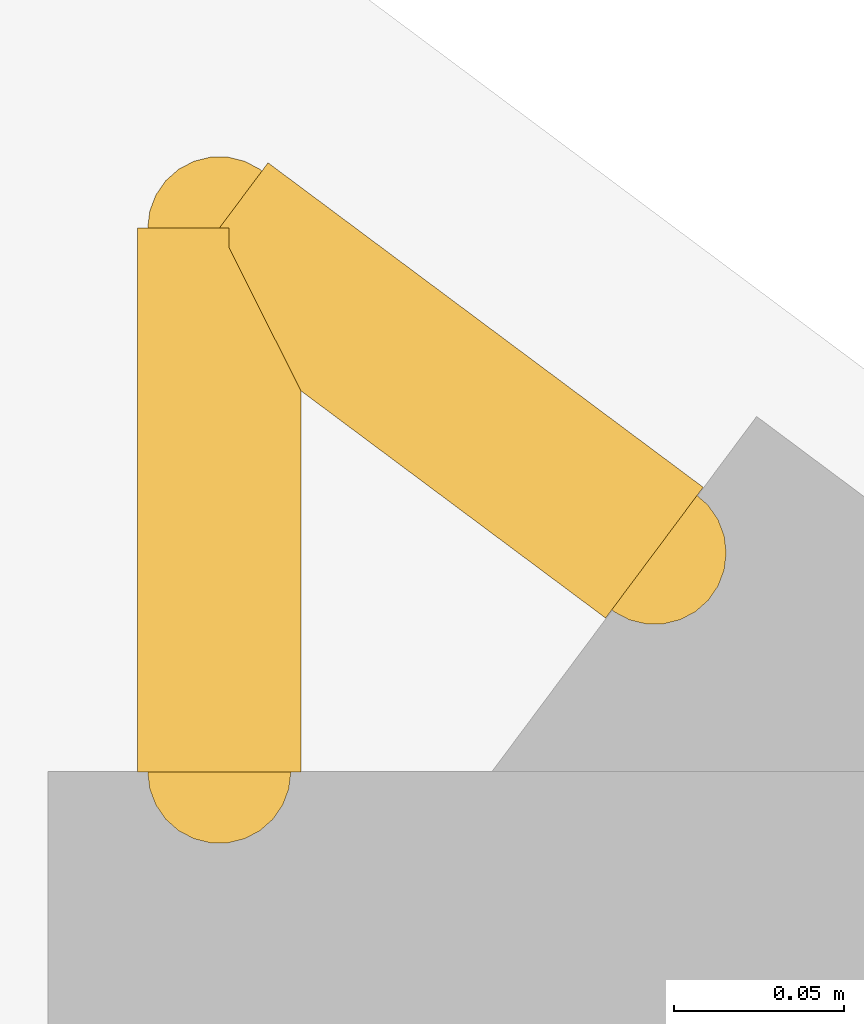
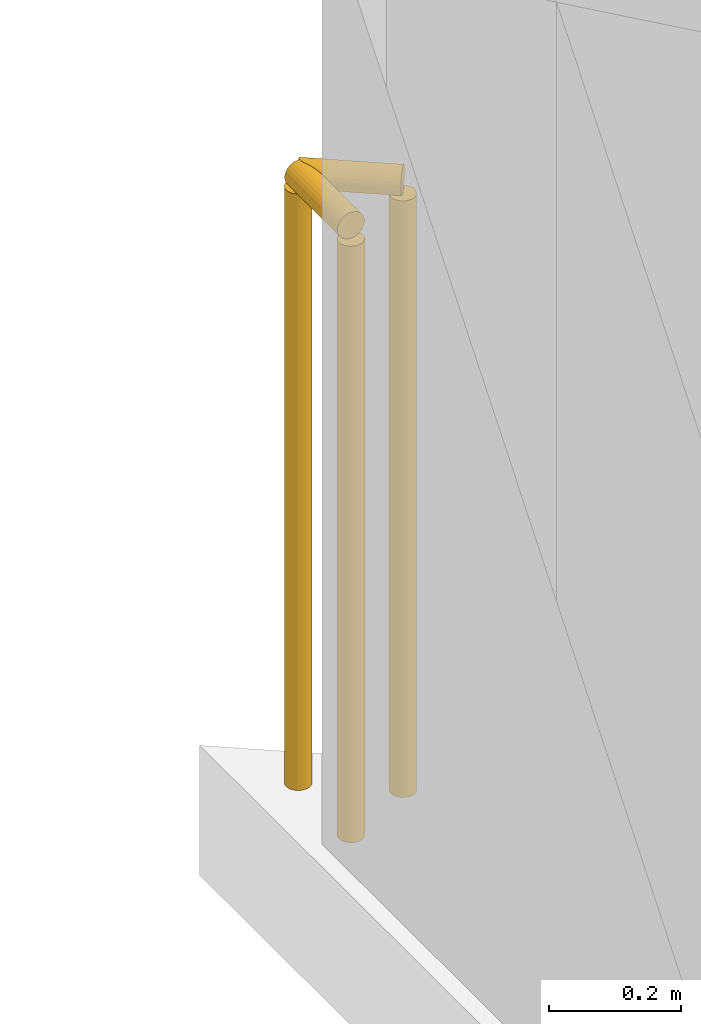
# One storey, part 15 of 15: 2 railings.
"""IFC4 building model written with IfcOpenShell, lengths in metres."""

from ifc_helpers import new_model, si_unit, direction, frame, origin, origin_2d, place, context, subcontext, project, spatial, circle, extrude, material, type_object, element, save


model = new_model("IFC4")

# Units and contexts
model_context = context("Model", 3, precision=1e-05, world=origin(), true_north=direction((0.0, 1.0)))
body_context = subcontext(model_context, "Body", "Model", "MODEL_VIEW")
ifc_project = project(units=[si_unit("LENGTHUNIT", "METRE"), si_unit("AREAUNIT", "SQUARE_METRE"), si_unit("VOLUMEUNIT", "CUBIC_METRE"), si_unit("PLANEANGLEUNIT", "RADIAN"), si_unit("MASSUNIT", "GRAM", prefix="KILO")], contexts=[model_context])

# Site, building, storey
site_placement = place(None, origin())
site = spatial("IfcSite", under=ifc_project, at=site_placement, CompositionType="ELEMENT")
building_placement = place(site_placement, origin())
building = spatial("IfcBuilding", under=site, at=building_placement, Name="Varnakote Quay Hospital", CompositionType="ELEMENT")
storey_placement = place(building_placement, frame((0.0, 0.0, 244.699951171875)))
storey = spatial("IfcBuildingStorey", under=building, at=storey_placement, Name="L60", CompositionType="ELEMENT", Elevation=244.699951171875)

# Railings
ifc_material = material(Name="Anodised aluminium 6063-T6 Bronze", Category="aluminium")
railing_type = type_object("IfcRailingType", Name="RLG-EXT-GUARD-1150", PredefinedType="GUARDRAIL", material=ifc_material)
railing_1_placement = place(storey_placement, frame((2.580078125, 41.881103515625, 0.0)))
element("IfcRailing", 1, at=railing_1_placement, inside=storey, type_object=railing_type, Name="L60 Slab Edge Perimeter Safety Guard", PredefinedType="GUARDRAIL", context=body_context, shape_type="SweptSolid", body=[
    extrude(circle(Radius=0.02392578125, at=origin_2d()), frame((0.0, 0.0, 1.1259765625), z_axis=(0.0, 1.0, 0.0), x_axis=(-1.0, 0.0, 0.0)), (0.0, 0.0, 1.0), 0.159423828125),
    extrude(circle(Radius=0.02099609375, at=origin_2d()), origin(), (0.0, 0.0, 1.0), 1.101806640625),
    extrude(circle(Radius=0.02099609375, at=origin_2d()), frame((0.0, 0.159423828125, 0.0)), (0.0, 0.0, 1.0), 1.101806640625),
])
railing_2_placement = place(storey_placement, frame((2.580078125, 42.04052734375, 0.0)))
element("IfcRailing", 2, at=railing_2_placement, inside=storey, type_object=railing_type, Name="L60 Slab Edge Perimeter Safety Guard", PredefinedType="GUARDRAIL", context=body_context, shape_type="SweptSolid", body=[
    extrude(circle(Radius=0.02392578125, at=origin_2d()), frame((0.0, 0.0, 1.1259765625), z_axis=(0.801652374907, -0.597790489892, 0.0), x_axis=(0.597790489892, 0.801652374907, 0.0)), (0.0, 0.0, 1.0), 0.1591796875),
    extrude(circle(Radius=0.02099609375, at=origin_2d()), origin(), (0.0, 0.0, 1.0), 1.101806640625),
    extrude(circle(Radius=0.02099609375, at=origin_2d()), frame((0.127685546875, -0.09521484375, 0.0)), (0.0, 0.0, 1.0), 1.101806640625),
])

save(model, "model.ifc")
